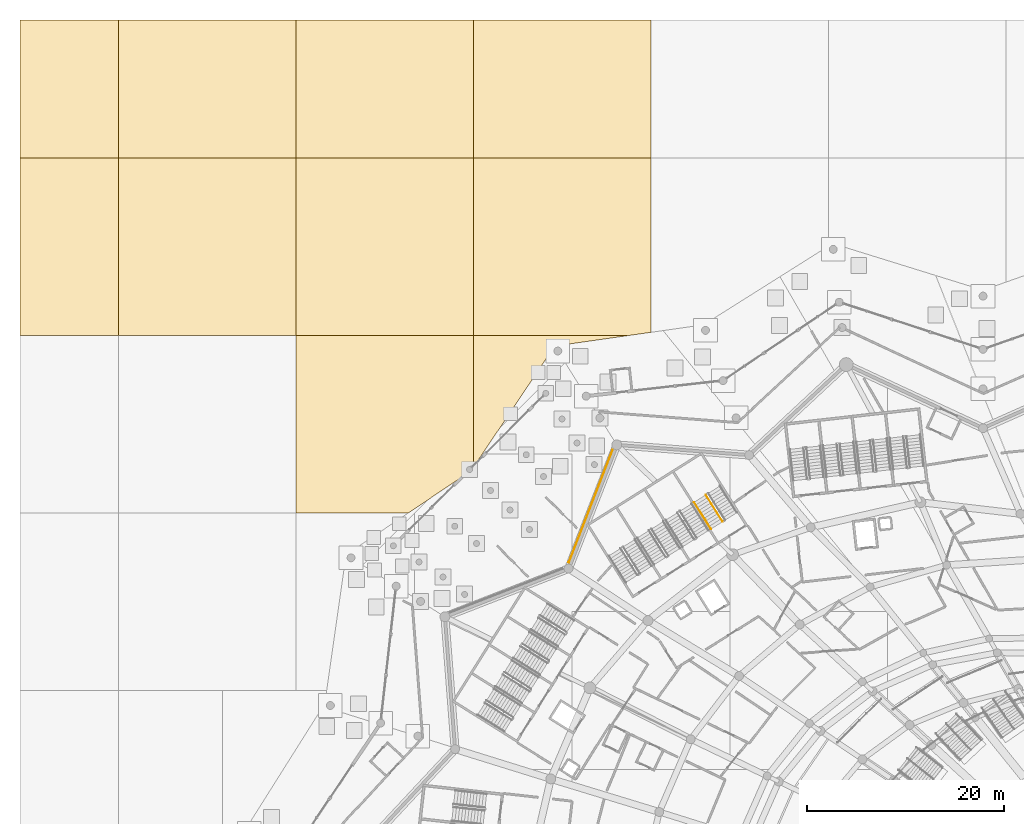
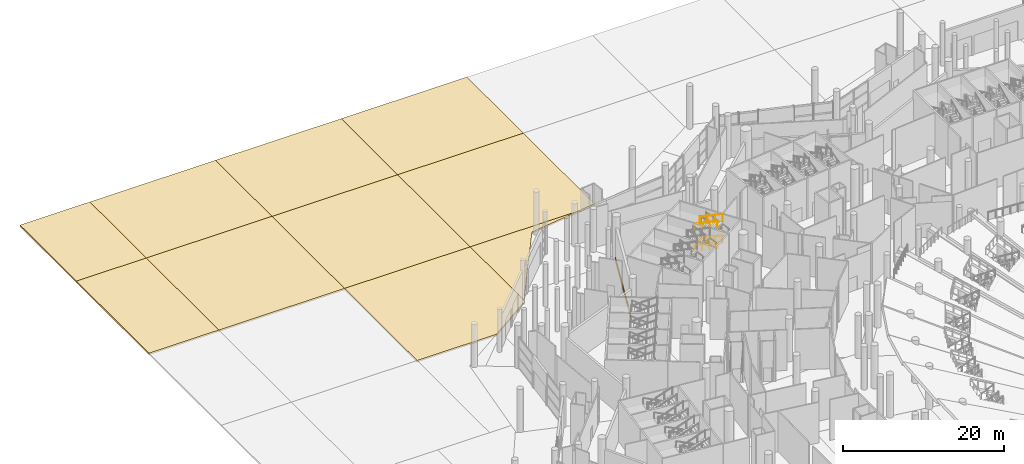
# One storey, part 234 of 255: 11 coverings, 4 railings.
"""IFC4 building model written with IfcOpenShell, lengths in metres."""

from ifc_helpers import new_model, si_unit, direction, frame, origin, origin_2d, place, context, subcontext, project, spatial, polyline, rectangle, circle, outline, extrude, material, layer, layer_set, type_object, element, save


model = new_model("IFC4")

# Units and contexts
model_context = context("Model", 3, precision=1e-05, world=origin(), true_north=direction((0.0, 1.0)))
body_context = subcontext(model_context, "Body", "Model", "MODEL_VIEW")
ifc_project = project(units=[si_unit("LENGTHUNIT", "METRE"), si_unit("AREAUNIT", "SQUARE_METRE"), si_unit("VOLUMEUNIT", "CUBIC_METRE"), si_unit("PLANEANGLEUNIT", "RADIAN"), si_unit("MASSUNIT", "GRAM", prefix="KILO")], contexts=[model_context])

# Site, building, storey
site_placement = place(None, origin())
site = spatial("IfcSite", under=ifc_project, at=site_placement, CompositionType="ELEMENT")
building_placement = place(site_placement, origin())
building = spatial("IfcBuilding", under=site, at=building_placement, Name="Meseta Stadium", CompositionType="ELEMENT")
storey_placement = place(building_placement, origin())
storey = spatial("IfcBuildingStorey", under=building, at=storey_placement, Name="L00", CompositionType="ELEMENT", Elevation=0.0)

# Coverings
ifc_material_1 = material(Name="Guadarrama granite cladding", Category="masonry")
ifc_layer_1 = layer(ifc_material_1, 0.06005859375)
ifc_layer_set_1 = layer_set([ifc_layer_1], Name="Granite plinth cladding 60")
covering_type_1 = type_object("IfcCoveringType", Name="Granite plinth cladding 60", PredefinedType="CLADDING", material=ifc_layer_set_1)
covering_1_placement = place(storey_placement, frame((-78.1201171875, 90.688232421875, 0.0), z_axis=(0.0, 0.0, 1.0), x_axis=(0.363280500237, 0.931679815252, 0.0)))
element("IfcCovering", 1, at=covering_1_placement, inside=storey, type_object=covering_type_1, Name="Granite plinth L00 F24", PredefinedType="CLADDING", context=body_context, shape_type="SweptSolid", body=[
    extrude(rectangle(XDim=12.273681640625, YDim=0.06005859375, at=origin_2d()), origin(), (0.0, 0.0, 1.0), 0.5),
])
ifc_material_2 = material(Name="Guadarrama granite paving on bedding", Category="masonry")
ifc_layer_2 = layer(ifc_material_2, 0.25)
ifc_layer_set_2 = layer_set([ifc_layer_2], Name="Ground paving 250")
covering_type_2 = type_object("IfcCoveringType", Name="Ground paving 250", PredefinedType="FLOORING", material=ifc_layer_set_2)
covering_2_placement = place(storey_placement, frame((0.0, 0.0, -0.25)))
element("IfcCovering", 2, at=covering_2_placement, inside=storey, type_object=covering_type_2, Name="Forecourt paving 57", PredefinedType="FLOORING", context=body_context, shape_type="SweptSolid", body=[
    extrude(outline(polyline([(-90.0, 108.0), (-108.0, 108.0), (-108.0, 90.0), (-96.626708984375, 90.0), (-90.48779296875, 94.115478515625), (-90.40625, 94.103759765625), (-90.327880859375, 94.114013671875), (-90.2548828125, 94.144287109375), (-90.1923828125, 94.1923828125), (-90.144287109375, 94.2548828125), (-90.114013671875, 94.327880859375), (-90.103759765625, 94.40625), (-90.115478515625, 94.48779296875), (-90.0, 94.659912109375), (-90.0, 108.0)])), origin(), (0.0, 0.0, 1.0), 0.25),
])
covering_3_placement = place(storey_placement, frame((0.0, 0.0, -0.25)))
element("IfcCovering", 3, at=covering_3_placement, inside=storey, type_object=covering_type_2, Name="Forecourt paving 59", PredefinedType="FLOORING", context=body_context, shape_type="SweptSolid", body=[
    extrude(outline(polyline([(-90.0, 94.659912109375), (-81.77294921875, 106.93212890625), (-74.291748046875, 108.0), (-90.0, 108.0), (-90.0, 94.659912109375)])), origin(), (0.0, 0.0, 1.0), 0.25),
])
covering_4_placement = place(storey_placement, frame((0.0, 0.0, -0.25)))
element("IfcCovering", 4, at=covering_4_placement, inside=storey, type_object=covering_type_2, Name="Forecourt paving 61", PredefinedType="FLOORING", context=body_context, shape_type="SweptSolid", body=[
    extrude(outline(polyline([(-136.0, 126.0), (-136.0, 108.0), (-126.0, 108.0), (-126.0, 126.0), (-136.0, 126.0)])), origin(), (0.0, 0.0, 1.0), 0.25),
])
covering_5_placement = place(storey_placement, frame((0.0, 0.0, -0.25)))
element("IfcCovering", 5, at=covering_5_placement, inside=storey, type_object=covering_type_2, Name="Forecourt paving 62", PredefinedType="FLOORING", context=body_context, shape_type="SweptSolid", body=[
    extrude(outline(polyline([(-108.0, 108.0), (-108.0, 126.0), (-126.0, 126.0), (-126.0, 108.0), (-108.0, 108.0)])), origin(), (0.0, 0.0, 1.0), 0.25),
])
covering_6_placement = place(storey_placement, frame((0.0, 0.0, -0.25)))
element("IfcCovering", 6, at=covering_6_placement, inside=storey, type_object=covering_type_2, Name="Forecourt paving 63", PredefinedType="FLOORING", context=body_context, shape_type="SweptSolid", body=[
    extrude(outline(polyline([(-90.0, 108.0), (-90.0, 126.0), (-108.0, 126.0), (-108.0, 108.0), (-90.0, 108.0)])), origin(), (0.0, 0.0, 1.0), 0.25),
])
covering_7_placement = place(storey_placement, frame((0.0, 0.0, -0.25)))
element("IfcCovering", 7, at=covering_7_placement, inside=storey, type_object=covering_type_2, Name="Forecourt paving 66", PredefinedType="FLOORING", context=body_context, shape_type="SweptSolid", body=[
    extrude(outline(polyline([(-74.291748046875, 108.0), (-72.0, 108.3271484375), (-72.0, 126.0), (-90.0, 126.0), (-90.0, 108.0), (-74.291748046875, 108.0)])), origin(), (0.0, 0.0, 1.0), 0.25),
])
covering_8_placement = place(storey_placement, frame((0.0, 0.0, -0.25)))
element("IfcCovering", 8, at=covering_8_placement, inside=storey, type_object=covering_type_2, Name="Forecourt paving 76", PredefinedType="FLOORING", context=body_context, shape_type="SweptSolid", body=[
    extrude(outline(polyline([(-126.0, 140.0), (-136.0, 140.0), (-136.0, 126.0), (-126.0, 126.0), (-126.0, 140.0)])), origin(), (0.0, 0.0, 1.0), 0.25),
])
covering_9_placement = place(storey_placement, frame((0.0, 0.0, -0.25)))
element("IfcCovering", 9, at=covering_9_placement, inside=storey, type_object=covering_type_2, Name="Forecourt paving 77", PredefinedType="FLOORING", context=body_context, shape_type="SweptSolid", body=[
    extrude(outline(polyline([(-108.0, 140.0), (-126.0, 140.0), (-126.0, 126.0), (-108.0, 126.0), (-108.0, 140.0)])), origin(), (0.0, 0.0, 1.0), 0.25),
])
covering_10_placement = place(storey_placement, frame((0.0, 0.0, -0.25)))
element("IfcCovering", 10, at=covering_10_placement, inside=storey, type_object=covering_type_2, Name="Forecourt paving 78", PredefinedType="FLOORING", context=body_context, shape_type="SweptSolid", body=[
    extrude(outline(polyline([(-90.0, 140.0), (-108.0, 140.0), (-108.0, 126.0), (-90.0, 126.0), (-90.0, 140.0)])), origin(), (0.0, 0.0, 1.0), 0.25),
])
covering_11_placement = place(storey_placement, frame((0.0, 0.0, -0.25)))
element("IfcCovering", 11, at=covering_11_placement, inside=storey, type_object=covering_type_2, Name="Forecourt paving 79", PredefinedType="FLOORING", context=body_context, shape_type="SweptSolid", body=[
    extrude(outline(polyline([(-72.0, 140.0), (-90.0, 140.0), (-90.0, 126.0), (-72.0, 126.0), (-72.0, 140.0)])), origin(), (0.0, 0.0, 1.0), 0.25),
])

# Railings
ifc_material_3 = material(Name="Steel S355", Category="steel")
railing_type_1 = type_object("IfcRailingType", Name="Stair guard 1100", PredefinedType="GUARDRAIL", material=ifc_material_3)
for number, where, name in (
    (12, (-66.44189453125, 91.8369140625, 1.772705078125), "ST49 L00 guard 3"),
    (13, (-66.44189453125, 91.8369140625, 5.022705078125), "ST49 L00 guard 7"),
):
    element("IfcRailing", number, at=place(storey_placement, frame(where)), inside=storey, type_object=railing_type_1, Name=name, PredefinedType="GUARDRAIL", context=body_context, shape_type="SweptSolid", body=[
        extrude(circle(Radius=0.02392578125, at=origin_2d()), frame((0.0, 0.0, 1.076171875), z_axis=(0.483076039287, -0.768737866935, 0.419141541973), x_axis=(0.84670136309, 0.53206841829, 0.0)), (0.0, 0.0, 1.0), 3.524658203125),
        extrude(circle(Radius=0.02099609375, at=origin_2d()), origin(), (0.0, 0.0, 1.0), 1.052001953125),
        extrude(circle(Radius=0.02099609375, at=origin_2d()), frame((0.567626953125, -0.903076171875, 0.492431640625)), (0.0, 0.0, 1.0), 1.052001953125),
        extrude(circle(Radius=0.02099609375, at=origin_2d()), frame((1.135009765625, -1.806396484375, 0.98486328125)), (0.0, 0.0, 1.0), 1.052001953125),
        extrude(circle(Radius=0.02099609375, at=origin_2d()), frame((1.70263671875, -2.70947265625, 1.477294921875)), (0.0, 0.0, 1.0), 1.052001953125),
    ])
ifc_material_4 = material(Name="Steel S355", Category="steel")
railing_type_2 = type_object("IfcRailingType", Name="Stair handrail 900", PredefinedType="HANDRAIL", material=ifc_material_4)
for number, where, name in (
    (14, (-67.627197265625, 91.092041015625, 1.772705078125), "ST49 L00 handrail 2"),
    (15, (-67.627197265625, 91.092041015625, 5.022705078125), "ST49 L00 handrail 4"),
):
    element("IfcRailing", number, at=place(storey_placement, frame(where)), inside=storey, type_object=railing_type_2, Name=name, PredefinedType="HANDRAIL", context=body_context, shape_type="SweptSolid", body=[
        extrude(circle(Radius=0.02392578125, at=origin_2d()), frame((0.0, 0.0, 0.8759765625), z_axis=(0.483022933061, -0.76876358972, 0.419155566894), x_axis=(0.846735733015, 0.532013720158, 0.0)), (0.0, 0.0, 1.0), 3.5244140625),
        extrude(circle(Radius=0.02099609375, at=origin_2d()), origin(), (0.0, 0.0, 1.0), 0.851806640625),
        extrude(circle(Radius=0.02099609375, at=origin_2d()), frame((0.5673828125, -0.903076171875, 0.492431640625)), (0.0, 0.0, 1.0), 0.851806640625),
        extrude(circle(Radius=0.02099609375, at=origin_2d()), frame((1.135009765625, -1.806396484375, 0.98486328125)), (0.0, 0.0, 1.0), 0.851806640625),
        extrude(circle(Radius=0.02099609375, at=origin_2d()), frame((1.702392578125, -2.70947265625, 1.477294921875)), (0.0, 0.0, 1.0), 0.851806640625),
    ])

save(model, "model.ifc")
